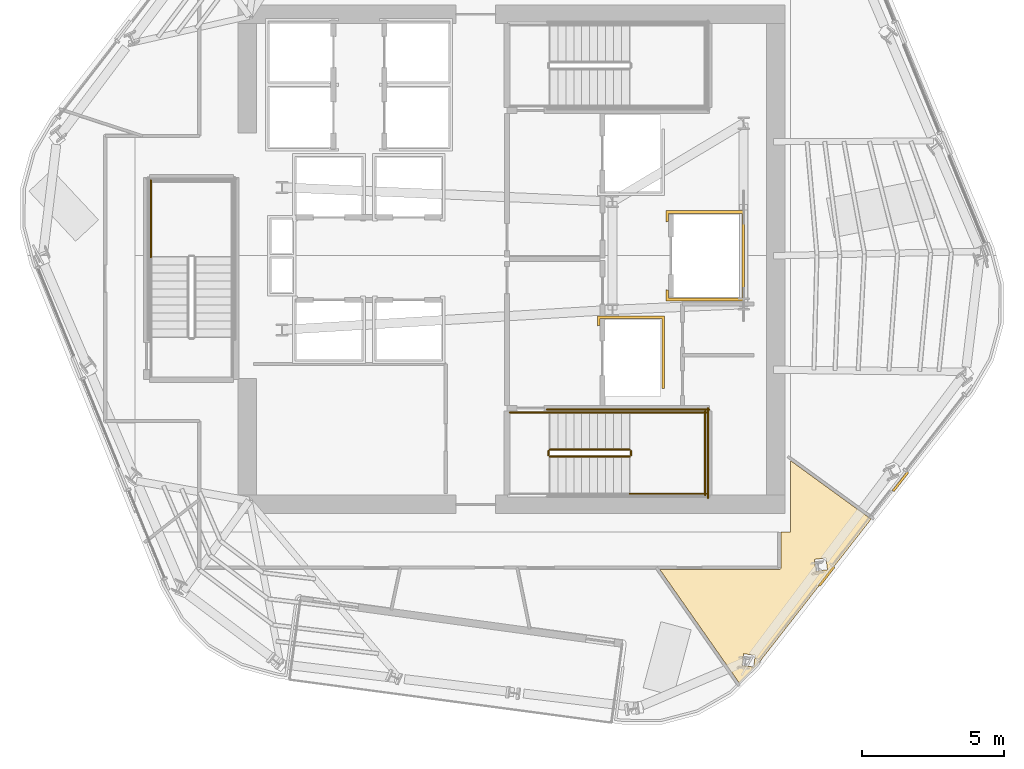
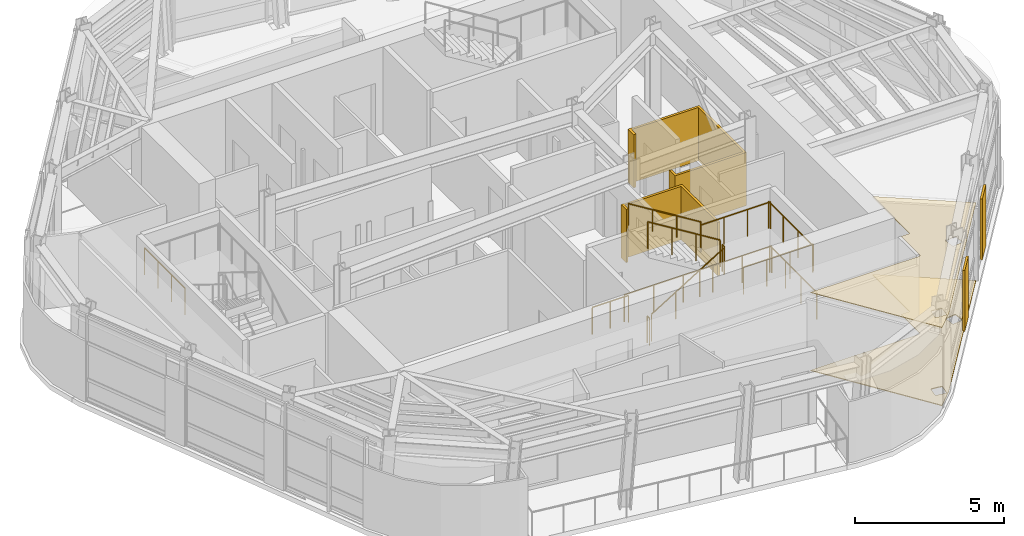
# One storey, part 9 of 12: 12 railings, 6 coverings.
"""IFC4 building model written with IfcOpenShell, lengths in metres."""

from ifc_helpers import new_model, si_unit, direction, frame, origin, origin_2d, place, context, subcontext, project, spatial, polyline, circle, outline, extrude, material, layer, layer_set, type_object, element, save


model = new_model("IFC4")

# Units and contexts
model_context = context("Model", 3, precision=1e-05, world=origin(), true_north=direction((0.0, 1.0)))
body_context = subcontext(model_context, "Body", "Model", "MODEL_VIEW")
ifc_project = project(units=[si_unit("LENGTHUNIT", "METRE"), si_unit("AREAUNIT", "SQUARE_METRE"), si_unit("VOLUMEUNIT", "CUBIC_METRE"), si_unit("PLANEANGLEUNIT", "RADIAN"), si_unit("MASSUNIT", "GRAM", prefix="KILO")], contexts=[model_context])

# Site, building, storey
site_placement = place(None, origin())
site = spatial("IfcSite", under=ifc_project, at=site_placement, CompositionType="ELEMENT")
building_placement = place(site_placement, origin())
building = spatial("IfcBuilding", under=site, at=building_placement, Name="Valkerne Bourse Tower", CompositionType="ELEMENT")
storey_placement = place(building_placement, frame((0.0, 0.0, 247.39990234375)))
storey = spatial("IfcBuildingStorey", under=building, at=storey_placement, Name="L63", CompositionType="ELEMENT", Elevation=247.39990234375)

# Coverings
ifc_material_1 = material(Name="Mineral Fiber Acoustic Ceiling Tile", Category="acoustic")
ifc_layer_1 = layer(ifc_material_1, 0.02490234375)
ifc_layer_set_1 = layer_set([ifc_layer_1], Name="Mineral Fiber Acoustic Ceiling Tile")
covering_type_1 = type_object("IfcCoveringType", Name="COV-CEIL-ACT", PredefinedType="CEILING", material=ifc_layer_set_1)
covering_1_placement = place(storey_placement, frame((0.0, 0.0, 3.190185546875)))
element("IfcCovering", 1, at=covering_1_placement, inside=storey, type_object=covering_type_1, Name="L63 Suspended Ceiling 05", PredefinedType="CEILING", context=body_context, shape_type="SweptSolid", body=[
    extrude(outline(polyline([(52.010498046875, 15.990966796875), (56.20068359375, 15.990966796875), (56.245849609375, 16.00830078125), (56.2626953125, 16.031005859375), (56.26904296875, 16.0595703125), (56.26904296875, 17.300048828125), (56.60009765625, 17.300048828125), (56.60009765625, 19.806884765625), (59.422607421875, 17.75634765625), (55.408935546875, 12.6171875), (54.796875, 12.011474609375), (52.010498046875, 15.990966796875)]), holes=[polyline([(55.358154296875, 12.979736328125), (54.95068359375, 13.035400390625), (54.948486328125, 13.0341796875), (54.8935546875, 12.623779296875), (55.301025390625, 12.568115234375), (55.302978515625, 12.5693359375), (55.358154296875, 12.979736328125)]), polyline([(57.893310546875, 15.98388671875), (57.8427734375, 16.394775390625), (57.434326171875, 16.34521484375), (57.432861328125, 16.34375), (57.4833984375, 15.932861328125), (57.891845703125, 15.982421875), (57.893310546875, 15.98388671875)])]), origin(), (0.0, 0.0, 1.0), 0.02490234375),
])
ifc_material_2 = material(Name="Bronze Anodised Aluminium AA 6063-T6", Category="aluminium")
ifc_layer_2 = layer(ifc_material_2, 0.06005859375)
ifc_layer_set_2 = layer_set([ifc_layer_2], Name="Bronze Anodised Aluminium AA 6063-T6")
covering_type_2 = type_object("IfcCoveringType", Name="COV-CRN-ALUM", PredefinedType="CLADDING", material=ifc_layer_set_2)
covering_2_placement = place(storey_placement, origin())
element("IfcCovering", 2, at=covering_2_placement, inside=storey, type_object=covering_type_2, Name="L63 Wind-Shaped Corner Aluminium Cladding 14", PredefinedType="CLADDING", context=body_context, shape_type="SweptSolid", body=[
    extrude(outline(polyline([(60.228759765625, 18.71728515625), (60.16552734375, 18.76611328125), (60.6826171875, 19.42822265625), (60.745849609375, 19.37939453125), (60.228759765625, 18.71728515625)])), origin(), (0.0, 0.0, 1.0), 2.5),
])
covering_3_placement = place(storey_placement, origin())
element("IfcCovering", 3, at=covering_3_placement, inside=storey, type_object=covering_type_2, Name="L63 Wind-Shaped Corner Aluminium Cladding 15", PredefinedType="CLADDING", context=body_context, shape_type="SweptSolid", body=[
    extrude(outline(polyline([(57.63623046875, 15.397705078125), (57.572998046875, 15.44677734375), (58.090087890625, 16.10888671875), (58.1533203125, 16.059814453125), (57.63623046875, 15.397705078125)])), origin(), (0.0, 0.0, 1.0), 2.5),
])
ifc_material_3 = material(Name="Polished Granite Stone", Category="masonry")
ifc_layer_3 = layer(ifc_material_3, 0.030029296875)
ifc_layer_set_3 = layer_set([ifc_layer_3], Name="Polished Granite Stone")
covering_type_3 = type_object("IfcCoveringType", Name="COV-FLR-TERRAZZO", PredefinedType="FLOORING", material=ifc_layer_set_3)
covering_4_placement = place(storey_placement, origin())
element("IfcCovering", 4, at=covering_4_placement, inside=storey, type_object=covering_type_3, Name="L63 Floor Finish 05", PredefinedType="FLOORING", context=body_context, shape_type="SweptSolid", body=[
    extrude(outline(polyline([(52.010498046875, 15.990966796875), (56.20068359375, 15.990966796875), (56.245849609375, 16.00830078125), (56.2626953125, 16.031005859375), (56.26904296875, 16.0595703125), (56.26904296875, 17.300048828125), (56.60009765625, 17.300048828125), (56.60009765625, 19.806884765625), (59.422607421875, 17.75634765625), (55.408935546875, 12.6171875), (54.796875, 12.011474609375), (52.010498046875, 15.990966796875)]), holes=[polyline([(55.358154296875, 12.979736328125), (54.95068359375, 13.035400390625), (54.948486328125, 13.0341796875), (54.8935546875, 12.623779296875), (55.301025390625, 12.568115234375), (55.302978515625, 12.5693359375), (55.358154296875, 12.979736328125)]), polyline([(57.893310546875, 15.98388671875), (57.8427734375, 16.394775390625), (57.434326171875, 16.34521484375), (57.432861328125, 16.34375), (57.4833984375, 15.932861328125), (57.891845703125, 15.982421875), (57.893310546875, 15.98388671875)])]), origin(), (0.0, 0.0, 1.0), 0.030029296875),
])
ifc_material_4 = material(Name="Gypsum Shaftwall Liner Board", Category="gypsum")
ifc_layer_4 = layer(ifc_material_4, 0.080078125)
ifc_layer_set_4 = layer_set([ifc_layer_4], Name="Gypsum Shaftwall Liner Board")
covering_type_4 = type_object("IfcCoveringType", Name="COV-SHF-CLAD", PredefinedType="CLADDING", material=ifc_layer_set_4)
covering_5_placement = place(storey_placement, origin())
element("IfcCovering", 5, at=covering_5_placement, inside=storey, type_object=covering_type_4, Name="L63 Hoistway & Riser Shaftwall Liner 05", PredefinedType="CLADDING", context=body_context, shape_type="SweptSolid", body=[
    extrude(outline(polyline([(52.179931640625, 22.35009765625), (52.090087890625, 22.35009765625), (52.090087890625, 24.7900390625), (49.909912109375, 24.7900390625), (49.909912109375, 24.560791015625), (49.869384765625, 24.550537109375), (49.827880859375, 24.53564453125), (49.820068359375, 24.531982421875), (49.820068359375, 24.8798828125), (52.179931640625, 24.8798828125), (52.179931640625, 22.35009765625)])), origin(), (0.0, 0.0, 1.0), 2.18017578125),
])
covering_6_placement = place(storey_placement, origin())
element("IfcCovering", 6, at=covering_6_placement, inside=storey, type_object=covering_type_4, Name="L63 Hoistway & Riser Shaftwall Liner 06", PredefinedType="CLADDING", context=body_context, shape_type="SweptSolid", body=[
    extrude(outline(polyline([(54.97998046875, 25.419921875), (52.219970703125, 25.419921875), (52.219970703125, 25.81787109375), (52.227783203125, 25.814208984375), (52.269287109375, 25.79931640625), (52.31005859375, 25.789306640625), (52.31005859375, 25.510009765625), (54.889892578125, 25.510009765625), (54.889892578125, 28.489990234375), (52.31005859375, 28.489990234375), (52.31005859375, 28.210693359375), (52.269287109375, 28.20068359375), (52.227783203125, 28.185791015625), (52.219970703125, 28.18212890625), (52.219970703125, 28.580078125), (54.97998046875, 28.580078125), (54.97998046875, 25.419921875)])), origin(), (0.0, 0.0, 1.0), 2.18017578125),
])

# Railings
ifc_material_5 = material(Name="Galvanised Painted Steel", Category="steel")
railing_type_1 = type_object("IfcRailingType", Name="RLG-ST-GUARD-1120", PredefinedType="GUARDRAIL", material=ifc_material_5)
railing_1_placement = place(storey_placement, frame((48.14990234375, 19.949951171875, 0.1728515625)))
element("IfcRailing", 7, at=railing_1_placement, inside=storey, type_object=railing_type_1, Name="L63 ST-1 stair guard 1", PredefinedType="GUARDRAIL", context=body_context, shape_type="SweptSolid", body=[
    extrude(circle(Radius=0.02392578125, at=origin_2d()), frame((0.0, 0.0, 1.09619140625), z_axis=(0.851089632645, 0.0, 0.525020415988), x_axis=(0.0, 1.0, 0.0)), (0.0, 0.0, 1.0), 3.2900390625),
    extrude(circle(Radius=0.02099609375, at=origin_2d()), origin(), (0.0, 0.0, 1.0), 1.072021484375),
    extrude(circle(Radius=0.02099609375, at=origin_2d()), frame((0.933349609375, 0.0, 0.57568359375)), (0.0, 0.0, 1.0), 1.072021484375),
    extrude(circle(Radius=0.02099609375, at=origin_2d()), frame((1.86669921875, 0.0, 1.151611328125)), (0.0, 0.0, 1.0), 1.072021484375),
    extrude(circle(Radius=0.02099609375, at=origin_2d()), frame((2.800048828125, 0.0, 1.727294921875)), (0.0, 0.0, 1.0), 1.072021484375),
])
railing_2_placement = place(storey_placement, frame((51.0, 20.0, 1.900146484375)))
element("IfcRailing", 8, at=railing_2_placement, inside=storey, type_object=railing_type_1, Name="L63 ST-1 stair guard 2", PredefinedType="GUARDRAIL", context=body_context, shape_type="SweptSolid", body=[
    extrude(circle(Radius=0.02392578125, at=origin_2d()), frame((0.0, 0.0, 1.09619140625), z_axis=(0.0, 1.0, 0.0), x_axis=(-1.0, 0.0, 0.0)), (0.0, 0.0, 1.0), 0.14990234375),
    extrude(circle(Radius=0.02099609375, at=origin_2d()), origin(), (0.0, 0.0, 1.0), 1.072021484375),
    extrude(circle(Radius=0.02099609375, at=origin_2d()), frame((0.0, 0.14990234375, 0.0)), (0.0, 0.0, 1.0), 1.072021484375),
])
for number, where, name in (
    (9, (50.949951171875, 18.64990234375, 1.900146484375), "L63 ST-1 stair guard 3"),
    (10, (50.949951171875, 21.5, 1.900146484375), "L63 ST-1 stair guard 4"),
):
    element("IfcRailing", number, at=place(storey_placement, frame(where)), inside=storey, type_object=railing_type_1, Name=name, PredefinedType="GUARDRAIL", context=body_context, shape_type="SweptSolid", body=[
        extrude(circle(Radius=0.02392578125, at=origin_2d()), frame((0.0, 0.0, 1.09619140625), z_axis=(1.0, 0.0, 0.0), x_axis=(0.0, 1.0, 0.0)), (0.0, 0.0, 1.0), 2.699951171875),
        extrude(circle(Radius=0.02099609375, at=origin_2d()), origin(), (0.0, 0.0, 1.0), 1.072021484375),
        extrude(circle(Radius=0.02099609375, at=origin_2d()), frame((0.89990234375, 0.0, 0.0)), (0.0, 0.0, 1.0), 1.072021484375),
        extrude(circle(Radius=0.02099609375, at=origin_2d()), frame((1.800048828125, 0.0, 0.0)), (0.0, 0.0, 1.0), 1.072021484375),
        extrude(circle(Radius=0.02099609375, at=origin_2d()), frame((2.699951171875, 0.0, 0.0)), (0.0, 0.0, 1.0), 1.072021484375),
    ])
railing_3_placement = place(storey_placement, frame((53.60009765625, 18.60009765625, 1.900146484375)))
element("IfcRailing", 11, at=railing_3_placement, inside=storey, type_object=railing_type_1, Name="L63 ST-1 stair guard 5", PredefinedType="GUARDRAIL", context=body_context, shape_type="SweptSolid", body=[
    extrude(circle(Radius=0.02392578125, at=origin_2d()), frame((0.0, 0.0, 1.09619140625), z_axis=(0.0, 1.0, 0.0), x_axis=(-1.0, 0.0, 0.0)), (0.0, 0.0, 1.0), 2.949951171875),
    extrude(circle(Radius=0.02099609375, at=origin_2d()), origin(), (0.0, 0.0, 1.0), 1.072021484375),
    extrude(circle(Radius=0.02099609375, at=origin_2d()), frame((0.0, 0.9833984375, 0.0)), (0.0, 0.0, 1.0), 1.072021484375),
    extrude(circle(Radius=0.02099609375, at=origin_2d()), frame((0.0, 1.966552734375, 0.0)), (0.0, 0.0, 1.0), 1.072021484375),
    extrude(circle(Radius=0.02099609375, at=origin_2d()), frame((0.0, 2.949951171875, 0.0)), (0.0, 0.0, 1.0), 1.072021484375),
])
railing_4_placement = place(storey_placement, frame((50.949951171875, 20.199951171875, 2.07275390625)))
element("IfcRailing", 12, at=railing_4_placement, inside=storey, type_object=railing_type_1, Name="L63 ST-1 stair guard 6", PredefinedType="GUARDRAIL", context=body_context, shape_type="SweptSolid", body=[
    extrude(circle(Radius=0.02392578125, at=origin_2d()), frame((0.0, 0.0, 1.09619140625), z_axis=(-0.851089632645, 0.0, 0.525020415988), x_axis=(0.0, -1.0, 0.0)), (0.0, 0.0, 1.0), 3.2900390625),
    extrude(circle(Radius=0.02099609375, at=origin_2d()), origin(), (0.0, 0.0, 1.0), 1.072021484375),
    extrude(circle(Radius=0.02099609375, at=origin_2d()), frame((-0.933349609375, 0.0, 0.57568359375)), (0.0, 0.0, 1.0), 1.072021484375),
    extrude(circle(Radius=0.02099609375, at=origin_2d()), frame((-1.86669921875, 0.0, 1.151611328125)), (0.0, 0.0, 1.0), 1.072021484375),
    extrude(circle(Radius=0.02099609375, at=origin_2d()), frame((-2.800048828125, 0.0, 1.727294921875)), (0.0, 0.0, 1.0), 1.072021484375),
])
railing_5_placement = place(storey_placement, frame((48.10009765625, 20.0, 0.0)))
element("IfcRailing", 13, at=railing_5_placement, inside=storey, type_object=railing_type_1, Name="L63 ST-1 stair guard 7", PredefinedType="GUARDRAIL", context=body_context, shape_type="SweptSolid", body=[
    extrude(circle(Radius=0.02392578125, at=origin_2d()), frame((0.0, 0.0, 1.09619140625), z_axis=(0.0, 1.0, 0.0), x_axis=(-1.0, 0.0, 0.0)), (0.0, 0.0, 1.0), 0.14990234375),
    extrude(circle(Radius=0.02099609375, at=origin_2d()), origin(), (0.0, 0.0, 1.0), 1.072021484375),
    extrude(circle(Radius=0.02099609375, at=origin_2d()), frame((0.0, 0.14990234375, 0.0)), (0.0, 0.0, 1.0), 1.072021484375),
])
railing_6_placement = place(storey_placement, frame((46.75, 21.5, 0.0)))
element("IfcRailing", 14, at=railing_6_placement, inside=storey, type_object=railing_type_1, Name="L63 ST-1 stair guard 9", PredefinedType="GUARDRAIL", context=body_context, shape_type="SweptSolid", body=[
    extrude(circle(Radius=0.02392578125, at=origin_2d()), frame((0.0, 0.0, 1.09619140625), z_axis=(1.0, 0.0, 0.0), x_axis=(0.0, 1.0, 0.0)), (0.0, 0.0, 1.0), 1.39990234375),
    extrude(circle(Radius=0.02099609375, at=origin_2d()), origin(), (0.0, 0.0, 1.0), 1.072021484375),
    extrude(circle(Radius=0.02099609375, at=origin_2d()), frame((0.699951171875, 0.0, 0.0)), (0.0, 0.0, 1.0), 1.072021484375),
    extrude(circle(Radius=0.02099609375, at=origin_2d()), frame((1.39990234375, 0.0, 0.0)), (0.0, 0.0, 1.0), 1.072021484375),
])
railing_7_placement = place(storey_placement, frame((48.050048828125, 21.60009765625, 0.0)))
element("IfcRailing", 15, at=railing_7_placement, inside=storey, type_object=railing_type_1, Name="L63 ST-1 stair guard 11", PredefinedType="GUARDRAIL", context=body_context, shape_type="SweptSolid", body=[
    extrude(circle(Radius=0.02392578125, at=origin_2d()), frame((0.0, 0.0, 1.09619140625), z_axis=(1.0, 0.0, 0.0), x_axis=(0.0, 1.0, 0.0)), (0.0, 0.0, 1.0), 5.699951171875),
    extrude(circle(Radius=0.02099609375, at=origin_2d()), origin(), (0.0, 0.0, 1.0), 1.072021484375),
    extrude(circle(Radius=0.02099609375, at=origin_2d()), frame((1.139892578125, 0.0, 0.0)), (0.0, 0.0, 1.0), 1.072021484375),
    extrude(circle(Radius=0.02099609375, at=origin_2d()), frame((2.280029296875, 0.0, 0.0)), (0.0, 0.0, 1.0), 1.072021484375),
    extrude(circle(Radius=0.02099609375, at=origin_2d()), frame((3.419921875, 0.0, 0.0)), (0.0, 0.0, 1.0), 1.072021484375),
    extrude(circle(Radius=0.02099609375, at=origin_2d()), frame((4.56005859375, 0.0, 0.0)), (0.0, 0.0, 1.0), 1.072021484375),
    extrude(circle(Radius=0.02099609375, at=origin_2d()), frame((5.699951171875, 0.0, 0.0)), (0.0, 0.0, 1.0), 1.072021484375),
])
railing_8_placement = place(storey_placement, frame((53.699951171875, 18.5, 0.0)))
element("IfcRailing", 16, at=railing_8_placement, inside=storey, type_object=railing_type_1, Name="L63 ST-1 stair guard 12", PredefinedType="GUARDRAIL", context=body_context, shape_type="SweptSolid", body=[
    extrude(circle(Radius=0.02392578125, at=origin_2d()), frame((0.0, 0.0, 1.09619140625), z_axis=(0.0, 1.0, 0.0), x_axis=(-1.0, 0.0, 0.0)), (0.0, 0.0, 1.0), 3.14990234375),
    extrude(circle(Radius=0.02099609375, at=origin_2d()), origin(), (0.0, 0.0, 1.0), 1.072021484375),
    extrude(circle(Radius=0.02099609375, at=origin_2d()), frame((0.0, 1.050048828125, 0.0)), (0.0, 0.0, 1.0), 1.072021484375),
    extrude(circle(Radius=0.02099609375, at=origin_2d()), frame((0.0, 2.099853515625, 0.0)), (0.0, 0.0, 1.0), 1.072021484375),
    extrude(circle(Radius=0.02099609375, at=origin_2d()), frame((0.0, 3.14990234375, 0.0)), (0.0, 0.0, 1.0), 1.072021484375),
])
railing_9_placement = place(storey_placement, frame((34.14990234375, 26.949951171875, 1.900146484375)))
element("IfcRailing", 17, at=railing_9_placement, inside=storey, type_object=railing_type_1, Name="L63 ST-3 stair guard 4", PredefinedType="GUARDRAIL", context=body_context, shape_type="SweptSolid", body=[
    extrude(circle(Radius=0.02392578125, at=origin_2d()), frame((0.0, 0.0, 1.09619140625), z_axis=(0.0, 1.0, 0.0), x_axis=(-1.0, 0.0, 0.0)), (0.0, 0.0, 1.0), 2.699951171875),
    extrude(circle(Radius=0.02099609375, at=origin_2d()), origin(), (0.0, 0.0, 1.0), 1.072021484375),
    extrude(circle(Radius=0.02099609375, at=origin_2d()), frame((0.0, 0.89990234375, 0.0)), (0.0, 0.0, 1.0), 1.072021484375),
    extrude(circle(Radius=0.02099609375, at=origin_2d()), frame((0.0, 1.800048828125, 0.0)), (0.0, 0.0, 1.0), 1.072021484375),
    extrude(circle(Radius=0.02099609375, at=origin_2d()), frame((0.0, 2.699951171875, 0.0)), (0.0, 0.0, 1.0), 1.072021484375),
])
ifc_material_6 = material(Name="Stainless Steel AISI 316", Category="steel")
railing_type_2 = type_object("IfcRailingType", Name="RLG-ST-HANDRAIL-900", PredefinedType="HANDRAIL", material=ifc_material_6)
railing_10_placement = place(storey_placement, frame((50.949951171875, 21.5, 2.24560546875)))
element("IfcRailing", 18, at=railing_10_placement, inside=storey, type_object=railing_type_2, Name="L63 ST-1 stair handrail 2", PredefinedType="HANDRAIL", context=body_context, shape_type="SweptSolid", body=[
    extrude(circle(Radius=0.02392578125, at=origin_2d()), frame((0.0, 0.0, 0.8759765625), z_axis=(-0.851089632645, 0.0, 0.525020415988), x_axis=(0.0, -1.0, 0.0)), (0.0, 0.0, 1.0), 3.2900390625),
    extrude(circle(Radius=0.02099609375, at=origin_2d()), origin(), (0.0, 0.0, 1.0), 0.851806640625),
    extrude(circle(Radius=0.02099609375, at=origin_2d()), frame((-0.933349609375, 0.0, 0.57568359375)), (0.0, 0.0, 1.0), 0.851806640625),
    extrude(circle(Radius=0.02099609375, at=origin_2d()), frame((-1.86669921875, 0.0, 1.151611328125)), (0.0, 0.0, 1.0), 0.851806640625),
    extrude(circle(Radius=0.02099609375, at=origin_2d()), frame((-2.800048828125, 0.0, 1.727294921875)), (0.0, 0.0, 1.0), 0.851806640625),
])

save(model, "model.ifc")
